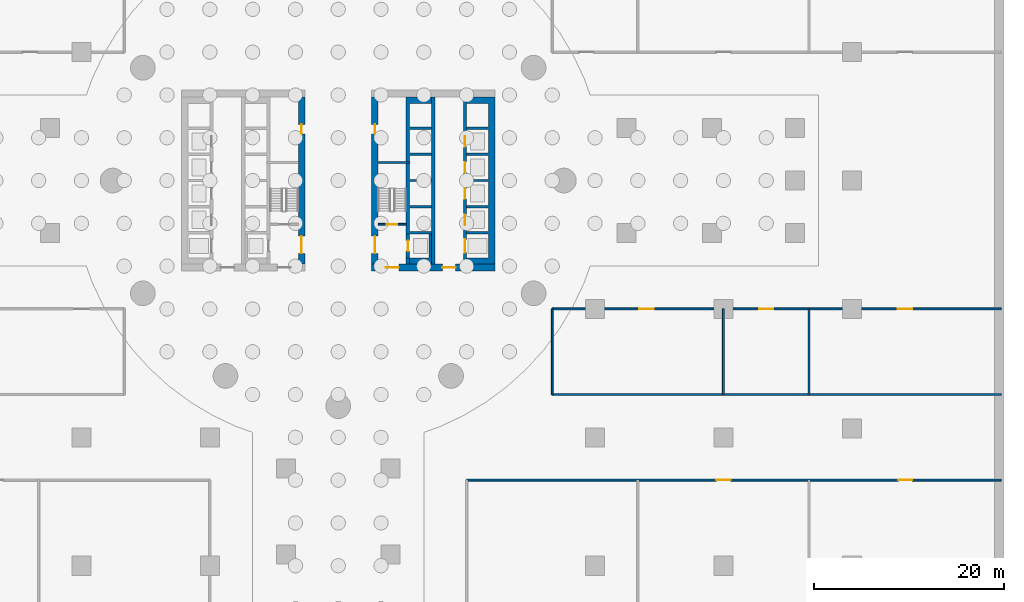
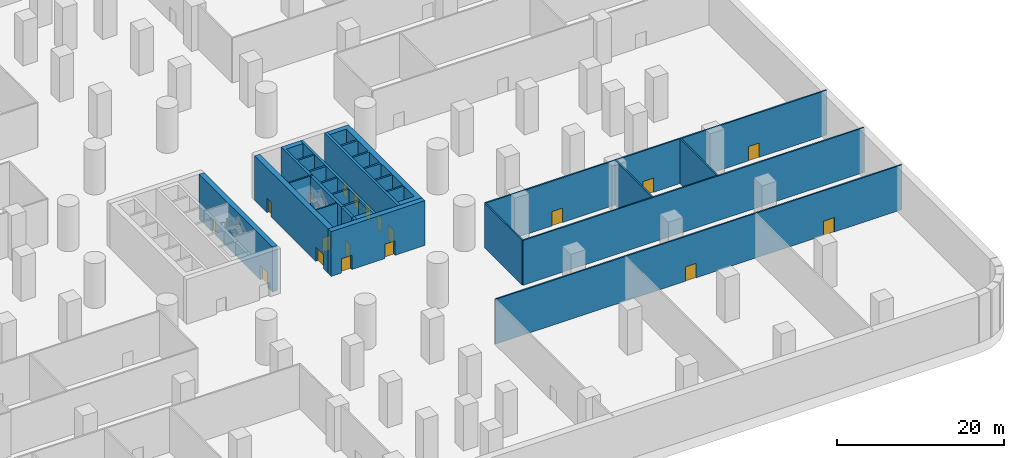
# One storey, part 7 of 13: 18 doors, 18 walls, 18 openings.
"""IFC4 building model written with IfcOpenShell, lengths in metres."""

from ifc_helpers import new_model, si_unit, direction, frame, frame_2d, origin, place, context, subcontext, project, spatial, polyline, rectangle, outline, extrude, material, layer, layer_set, type_object, element, fill, save


model = new_model("IFC4")

# Units and contexts
model_context = context("Model", 3, precision=1e-05, world=origin(), true_north=direction((0.0, 1.0)))
body_context = subcontext(model_context, "Body", "Model", "MODEL_VIEW")
ifc_project = project(units=[si_unit("LENGTHUNIT", "METRE"), si_unit("AREAUNIT", "SQUARE_METRE"), si_unit("VOLUMEUNIT", "CUBIC_METRE"), si_unit("PLANEANGLEUNIT", "RADIAN"), si_unit("MASSUNIT", "GRAM", prefix="KILO")], contexts=[model_context])

# Site, building, storey
site_placement = place(None, origin())
site = spatial("IfcSite", under=ifc_project, at=site_placement, CompositionType="ELEMENT")
building_placement = place(site_placement, origin())
building = spatial("IfcBuilding", under=site, at=building_placement, Name="Tamarind Cross Interchange Tower", CompositionType="ELEMENT")
storey_placement = place(building_placement, frame((0.0, 0.0, -21.0)))
storey = spatial("IfcBuildingStorey", under=building, at=storey_placement, Name="B3", CompositionType="ELEMENT", Elevation=-21.0)

# Wall, openings, doors
ifc_material_1 = material(Name="Concrete C80", Category="concrete")
ifc_layer_1 = layer(ifc_material_1, 0.699951171875)
ifc_layer_set_1 = layer_set([ifc_layer_1], Name="Concrete C80")
wall_type_1 = type_object("IfcWallType", Name="Core wall 700 mm Concrete C80", PredefinedType="SHEAR", material=ifc_layer_set_1)
wall_1_placement = place(storey_placement, frame((-3.85009765625, -8.800048828125, 0.0), z_axis=(0.0, 0.0, 1.0), x_axis=(0.0, 1.0, 0.0)))
wall_1 = element("IfcWall", 1, at=wall_1_placement, inside=storey, type_object=wall_type_1, Name="Core wall CWL-B3-W-IN", PredefinedType="SHEAR", context=body_context, shape_type="SweptSolid", body=[
    extrude(rectangle(XDim=17.60009765625, YDim=0.699951171875, at=frame_2d((8.800048828125, 0.0))), origin(), (0.0, 0.0, 1.0), 6.550048828125),
])
opening_1_placement = place(wall_1_placement, frame((1.14990234375, 0.0, 0.0)))
opening_1 = element("IfcOpeningElement", 2, at=opening_1_placement, cuts=wall_1, Name="Opening DCW4", PredefinedType="OPENING", context=body_context, shape_type="SweptSolid", body=[
    extrude(rectangle(XDim=1.800048828125, YDim=2.10009765625, at=frame_2d((0.89990234375, 1.050048828125))), frame((0.0, 0.35986328125, 0.0), z_axis=(0.0, -1.0, 0.0), x_axis=(1.0, 0.0, 0.0)), (0.0, 0.0, 1.0), 0.719970703125),
])
opening_2_placement = place(wall_1_placement, frame((13.699951171875, 0.0, 0.0)))
opening_2 = element("IfcOpeningElement", 3, at=opening_2_placement, cuts=wall_1, Name="Opening DCW5", PredefinedType="OPENING", context=body_context, shape_type="SweptSolid", body=[
    extrude(rectangle(XDim=1.0, YDim=2.10009765625, at=frame_2d((0.5, 1.050048828125))), frame((0.0, 0.35986328125, 0.0), z_axis=(0.0, -1.0, 0.0), x_axis=(1.0, 0.0, 0.0)), (0.0, 0.0, 1.0), 0.719970703125),
])
ifc_material_2 = material(Name="Steel, fire-resisting", Category="steel")
door_type_1 = type_object("IfcDoorType", Name="Core fire door 1000 x 2100 FD90", OperationType="SINGLE_SWING_LEFT", PredefinedType="DOOR", material=ifc_material_2)
door_1_placement = place(opening_2_placement, origin())
door_1 = element("IfcDoor", 4, at=door_1_placement, inside=storey, type_object=door_type_1, Name="B3 riser room door", OperationType="SINGLE_SWING_LEFT", OverallHeight=2.10009765625, OverallWidth=1.0, PredefinedType="DOOR", context=body_context, shape_type="SweptSolid", body=[
    extrude(rectangle(XDim=1.0, YDim=2.10009765625, at=frame_2d((0.5, 1.050048828125))), frame((0.0, 0.02490234375, 0.0), z_axis=(0.0, -1.0, 0.0), x_axis=(1.0, 0.0, 0.0)), (0.0, 0.0, 1.0), 0.050048828125),
])
fill(opening_2, door_1)
door_type_2 = type_object("IfcDoorType", Name="Core fire door 1800 x 2100 FD90", OperationType="SINGLE_SWING_LEFT", PredefinedType="DOOR", material=ifc_material_2)
door_2_placement = place(opening_1_placement, origin())
door_2 = element("IfcDoor", 5, at=door_2_placement, inside=storey, type_object=door_type_2, Name="B3 firefighting lobby door", OperationType="SINGLE_SWING_LEFT", OverallHeight=2.10009765625, OverallWidth=1.800048828125, PredefinedType="DOOR", context=body_context, shape_type="SweptSolid", body=[
    extrude(rectangle(XDim=1.800048828125, YDim=2.10009765625, at=frame_2d((0.89990234375, 1.050048828125))), frame((0.0, 0.02490234375, 0.0), z_axis=(0.0, -1.0, 0.0), x_axis=(1.0, 0.0, 0.0)), (0.0, 0.0, 1.0), 0.050048828125),
])
fill(opening_1, door_2)

wall_2_placement = place(storey_placement, frame((16.5, -9.14990234375, 0.0), z_axis=(0.0, 0.0, 1.0), x_axis=(-1.0, 0.0, 0.0)))
wall_2 = element("IfcWall", 6, at=wall_2_placement, inside=storey, type_object=wall_type_1, Name="Core wall CWL-B3-E-S", PredefinedType="SHEAR", context=body_context, shape_type="SweptSolid", body=[
    extrude(rectangle(XDim=13.0, YDim=0.699951171875, at=frame_2d((6.5, 0.0))), origin(), (0.0, 0.0, 1.0), 6.550048828125),
])
opening_3_placement = place(wall_2_placement, frame((4.14990234375, 0.0, 0.0)))
opening_3 = element("IfcOpeningElement", 7, at=opening_3_placement, cuts=wall_2, Name="Opening DCE1", PredefinedType="OPENING", context=body_context, shape_type="SweptSolid", body=[
    extrude(rectangle(XDim=1.39990234375, YDim=2.10009765625, at=frame_2d((0.699951171875, 1.050048828125))), frame((0.0, 0.35986328125, 0.0), z_axis=(0.0, -1.0, 0.0), x_axis=(1.0, 0.0, 0.0)), (0.0, 0.0, 1.0), 0.719970703125),
])
opening_4_placement = place(wall_2_placement, frame((10.125, 0.0, 0.0)))
opening_4 = element("IfcOpeningElement", 8, at=opening_4_placement, cuts=wall_2, Name="Opening DCEF", PredefinedType="OPENING", context=body_context, shape_type="SweptSolid", body=[
    extrude(rectangle(XDim=1.39990234375, YDim=2.10009765625, at=frame_2d((0.699951171875, 1.050048828125))), frame((0.0, 0.35986328125, 0.0), z_axis=(0.0, -1.0, 0.0), x_axis=(1.0, 0.0, 0.0)), (0.0, 0.0, 1.0), 0.719970703125),
])
door_type_3 = type_object("IfcDoorType", Name="Core fire door 1400 x 2100 FD90", OperationType="SINGLE_SWING_LEFT", PredefinedType="DOOR", material=ifc_material_2)
door_3_placement = place(opening_3_placement, origin())
door_3 = element("IfcDoor", 9, at=door_3_placement, inside=storey, type_object=door_type_3, Name="B3 lift lobby door", OperationType="SINGLE_SWING_LEFT", OverallHeight=2.10009765625, OverallWidth=1.39990234375, PredefinedType="DOOR", context=body_context, shape_type="SweptSolid", body=[
    extrude(rectangle(XDim=1.39990234375, YDim=2.10009765625, at=frame_2d((0.699951171875, 1.050048828125))), frame((0.0, 0.02490234375, 0.0), z_axis=(0.0, -1.0, 0.0), x_axis=(1.0, 0.0, 0.0)), (0.0, 0.0, 1.0), 0.050048828125),
])
fill(opening_3, door_3)
door_4_placement = place(opening_4_placement, origin())
door_4 = element("IfcDoor", 10, at=door_4_placement, inside=storey, type_object=door_type_3, Name="B3 firefighting lobby end door", OperationType="SINGLE_SWING_LEFT", OverallHeight=2.10009765625, OverallWidth=1.39990234375, PredefinedType="DOOR", context=body_context, shape_type="SweptSolid", body=[
    extrude(rectangle(XDim=1.39990234375, YDim=2.10009765625, at=frame_2d((0.699951171875, 1.050048828125))), frame((0.0, 0.02490234375, 0.0), z_axis=(0.0, -1.0, 0.0), x_axis=(1.0, 0.0, 0.0)), (0.0, 0.0, 1.0), 0.050048828125),
])
fill(opening_4, door_4)

# Wall
wall_3_placement = place(storey_placement, origin())
element("IfcWall", 11, at=wall_3_placement, inside=storey, type_object=wall_type_1, Name="Core wall CWL-B3-E-A", PredefinedType="SHEAR", context=body_context, shape_type="SweptSolid", body=[
    extrude(outline(polyline([(13.5, -8.800048828125), (15.800048828125, -8.800048828125), (16.5, -8.800048828125), (16.5, 8.800048828125), (15.800048828125, 8.800048828125), (13.5, 8.800048828125), (13.5, 8.125), (15.800048828125, 8.125), (15.800048828125, 5.625), (13.5, 5.625), (13.5, 5.375), (15.800048828125, 5.375), (15.800048828125, 2.875), (13.5, 2.875), (13.5, 2.625), (15.800048828125, 2.625), (15.800048828125, 0.125), (13.5, 0.125), (13.5, -0.125), (15.800048828125, -0.125), (15.800048828125, -2.625), (13.5, -2.625), (13.5, -2.875), (15.800048828125, -2.875), (15.800048828125, -5.375), (13.5, -5.375), (13.5, -5.625), (15.800048828125, -5.625), (15.800048828125, -8.125), (13.5, -8.125), (13.5, -8.800048828125)])), origin(), (0.0, 0.0, 1.0), 6.550048828125),
])

# Wall, openings, doors
wall_4_placement = place(storey_placement, frame((3.85009765625, -8.800048828125, 0.0), z_axis=(0.0, 0.0, 1.0), x_axis=(0.0, 1.0, 0.0)))
wall_4 = element("IfcWall", 12, at=wall_4_placement, inside=storey, type_object=wall_type_1, Name="Core wall CWL-B3-E-IN", PredefinedType="SHEAR", context=body_context, shape_type="SweptSolid", body=[
    extrude(rectangle(XDim=17.60009765625, YDim=0.699951171875, at=frame_2d((8.800048828125, 0.0))), origin(), (0.0, 0.0, 1.0), 6.550048828125),
])
opening_5_placement = place(wall_4_placement, frame((1.14990234375, 0.0, 0.0)))
opening_5 = element("IfcOpeningElement", 13, at=opening_5_placement, cuts=wall_4, Name="Opening DCE4", PredefinedType="OPENING", context=body_context, shape_type="SweptSolid", body=[
    extrude(rectangle(XDim=1.800048828125, YDim=2.10009765625, at=frame_2d((0.89990234375, 1.050048828125))), frame((0.0, 0.35986328125, 0.0), z_axis=(0.0, -1.0, 0.0), x_axis=(1.0, 0.0, 0.0)), (0.0, 0.0, 1.0), 0.719970703125),
])
opening_6_placement = place(wall_4_placement, frame((13.699951171875, 0.0, 0.0)))
opening_6 = element("IfcOpeningElement", 14, at=opening_6_placement, cuts=wall_4, Name="Opening DCE5", PredefinedType="OPENING", context=body_context, shape_type="SweptSolid", body=[
    extrude(rectangle(XDim=1.0, YDim=2.10009765625, at=frame_2d((0.5, 1.050048828125))), frame((0.0, 0.35986328125, 0.0), z_axis=(0.0, -1.0, 0.0), x_axis=(1.0, 0.0, 0.0)), (0.0, 0.0, 1.0), 0.719970703125),
])
door_5_placement = place(opening_6_placement, origin())
door_5 = element("IfcDoor", 15, at=door_5_placement, inside=storey, type_object=door_type_1, Name="B3 riser room door", OperationType="SINGLE_SWING_LEFT", OverallHeight=2.10009765625, OverallWidth=1.0, PredefinedType="DOOR", context=body_context, shape_type="SweptSolid", body=[
    extrude(rectangle(XDim=1.0, YDim=2.10009765625, at=frame_2d((0.5, 1.050048828125))), frame((0.0, 0.02490234375, 0.0), z_axis=(0.0, -1.0, 0.0), x_axis=(1.0, 0.0, 0.0)), (0.0, 0.0, 1.0), 0.050048828125),
])
fill(opening_6, door_5)
door_6_placement = place(opening_5_placement, origin())
door_6 = element("IfcDoor", 16, at=door_6_placement, inside=storey, type_object=door_type_2, Name="B3 firefighting lobby door", OperationType="SINGLE_SWING_LEFT", OverallHeight=2.10009765625, OverallWidth=1.800048828125, PredefinedType="DOOR", context=body_context, shape_type="SweptSolid", body=[
    extrude(rectangle(XDim=1.800048828125, YDim=2.10009765625, at=frame_2d((0.89990234375, 1.050048828125))), frame((0.0, 0.02490234375, 0.0), z_axis=(0.0, -1.0, 0.0), x_axis=(1.0, 0.0, 0.0)), (0.0, 0.0, 1.0), 0.050048828125),
])
fill(opening_5, door_6)

# Walls
ifc_layer_2 = layer(ifc_material_1, 0.199951171875)
ifc_layer_set_2 = layer_set([ifc_layer_2], Name="Concrete C80")
wall_type_2 = type_object("IfcWallType", Name="Core web wall 200 mm Concrete C80", PredefinedType="SHEAR", material=ifc_layer_set_2)
wall_5_placement = place(storey_placement, frame((7.5, 1.89990234375, 0.0), z_axis=(0.0, 0.0, 1.0), x_axis=(-1.0, 0.0, 0.0)))
element("IfcWall", 17, at=wall_5_placement, inside=storey, type_object=wall_type_2, Name="Core wall CWL-B3-E-BD", PredefinedType="SHEAR", context=body_context, shape_type="SweptSolid", body=[
    extrude(rectangle(XDim=3.300048828125, YDim=0.199951171875, at=frame_2d((1.64990234375, 0.0))), origin(), (0.0, 0.0, 1.0), 6.550048828125),
])
ifc_layer_3 = layer(ifc_material_1, 0.35009765625)
ifc_layer_set_3 = layer_set([ifc_layer_3], Name="Concrete C80")
wall_type_3 = type_object("IfcWallType", Name="Core web wall 350 mm Concrete C80", PredefinedType="SHEAR", material=ifc_layer_set_3)
wall_6_placement = place(storey_placement, origin())
element("IfcWall", 18, at=wall_6_placement, inside=storey, type_object=wall_type_3, Name="Core wall CWL-B3-E-BN", PredefinedType="SHEAR", context=body_context, shape_type="SweptSolid", body=[
    extrude(outline(polyline([(9.800048828125, -5.375), (7.5, -5.375), (7.5, -2.875), (9.800048828125, -2.875), (9.800048828125, -2.625), (7.5, -2.625), (7.5, -0.125), (9.800048828125, -0.125), (9.800048828125, 0.125), (7.5, 0.125), (7.5, 2.625), (9.800048828125, 2.625), (9.800048828125, 2.875), (7.5, 2.875), (7.5, 5.375), (9.800048828125, 5.375), (9.800048828125, 5.625), (7.5, 5.625), (7.5, 8.125), (9.800048828125, 8.125), (9.800048828125, 8.800048828125), (7.5, 8.800048828125), (7.14990234375, 8.800048828125), (7.14990234375, -5.625), (7.5, -5.625), (9.800048828125, -5.625), (9.800048828125, -5.375)])), origin(), (0.0, 0.0, 1.0), 6.550048828125),
])
wall_7_placement = place(storey_placement, origin())
element("IfcWall", 19, at=wall_7_placement, inside=storey, type_object=wall_type_3, Name="Core wall CWL-B3-E-BS", PredefinedType="SHEAR", context=body_context, shape_type="SweptSolid", body=[
    extrude(outline(polyline([(7.5, -8.125), (7.5, -8.800048828125), (9.800048828125, -8.800048828125), (9.800048828125, -8.125), (9.800048828125, -5.625), (9.550048828125, -5.625), (9.550048828125, -8.125), (7.5, -8.125)])), origin(), (0.0, 0.0, 1.0), 6.550048828125),
])
wall_8_placement = place(storey_placement, frame((7.324951171875, -8.800048828125, 0.0), z_axis=(0.0, 0.0, 1.0), x_axis=(0.0, 1.0, 0.0)))
element("IfcWall", 20, at=wall_8_placement, inside=storey, type_object=wall_type_3, Name="Core wall CWL-B3-E-BW", PredefinedType="SHEAR", context=body_context, shape_type="SweptSolid", body=[
    extrude(rectangle(XDim=0.675048828125, YDim=0.35009765625, at=frame_2d((0.33740234375, 0.0))), origin(), (0.0, 0.0, 1.0), 6.550048828125),
])

# Wall, openings, doors
wall_9_placement = place(storey_placement, frame((13.324951171875, -8.800048828125, 0.0), z_axis=(0.0, 0.0, 1.0), x_axis=(0.0, 1.0, 0.0)))
wall_9 = element("IfcWall", 21, at=wall_9_placement, inside=storey, type_object=wall_type_3, Name="Core wall CWL-B3-E-LA", PredefinedType="SHEAR", context=body_context, shape_type="SweptSolid", body=[
    extrude(rectangle(XDim=17.60009765625, YDim=0.35009765625, at=frame_2d((8.800048828125, 0.0))), origin(), (0.0, 0.0, 1.0), 6.550048828125),
])
opening_7_placement = place(wall_9_placement, frame((1.22509765625, 0.0, 0.0)))
opening_7 = element("IfcOpeningElement", 22, at=opening_7_placement, cuts=wall_9, Name="Opening LD13B3", PredefinedType="OPENING", context=body_context, shape_type="SweptSolid", body=[
    extrude(rectangle(XDim=1.39990234375, YDim=2.10009765625, at=frame_2d((0.699951171875, 1.050048828125))), frame((0.0, 0.18505859375, 0.0), z_axis=(0.0, -1.0, 0.0), x_axis=(1.0, 0.0, 0.0)), (0.0, 0.0, 1.0), 0.3701171875),
])
opening_8_placement = place(wall_9_placement, frame((4.125, 0.0, 0.0)))
opening_8 = element("IfcOpeningElement", 23, at=opening_8_placement, cuts=wall_9, Name="Opening LD14B3", PredefinedType="OPENING", context=body_context, shape_type="SweptSolid", body=[
    extrude(rectangle(XDim=1.10009765625, YDim=2.10009765625, at=frame_2d((0.550048828125, 1.050048828125))), frame((0.0, 0.18505859375, 0.0), z_axis=(0.0, -1.0, 0.0), x_axis=(1.0, 0.0, 0.0)), (0.0, 0.0, 1.0), 0.3701171875),
])
opening_9_placement = place(wall_9_placement, frame((6.875, 0.0, 0.0)))
opening_9 = element("IfcOpeningElement", 24, at=opening_9_placement, cuts=wall_9, Name="Opening LD15B3", PredefinedType="OPENING", context=body_context, shape_type="SweptSolid", body=[
    extrude(rectangle(XDim=1.10009765625, YDim=2.10009765625, at=frame_2d((0.550048828125, 1.050048828125))), frame((0.0, 0.18505859375, 0.0), z_axis=(0.0, -1.0, 0.0), x_axis=(1.0, 0.0, 0.0)), (0.0, 0.0, 1.0), 0.3701171875),
])
opening_10_placement = place(wall_9_placement, frame((9.625, 0.0, 0.0)))
opening_10 = element("IfcOpeningElement", 25, at=opening_10_placement, cuts=wall_9, Name="Opening LD16B3", PredefinedType="OPENING", context=body_context, shape_type="SweptSolid", body=[
    extrude(rectangle(XDim=1.10009765625, YDim=2.10009765625, at=frame_2d((0.550048828125, 1.050048828125))), frame((0.0, 0.18505859375, 0.0), z_axis=(0.0, -1.0, 0.0), x_axis=(1.0, 0.0, 0.0)), (0.0, 0.0, 1.0), 0.3701171875),
])
opening_11_placement = place(wall_9_placement, frame((12.375, 0.0, 0.0)))
opening_11 = element("IfcOpeningElement", 26, at=opening_11_placement, cuts=wall_9, Name="Opening LD17B3", PredefinedType="OPENING", context=body_context, shape_type="SweptSolid", body=[
    extrude(rectangle(XDim=1.10009765625, YDim=2.10009765625, at=frame_2d((0.550048828125, 1.050048828125))), frame((0.0, 0.18505859375, 0.0), z_axis=(0.0, -1.0, 0.0), x_axis=(1.0, 0.0, 0.0)), (0.0, 0.0, 1.0), 0.3701171875),
])
ifc_material_3 = material(Name="Stainless steel panel", Category="steel")
door_type_4 = type_object("IfcDoorType", Name="Lift landing door 1100 x 2100 E 120", OperationType="SLIDING_TO_LEFT", PredefinedType="DOOR", material=ifc_material_3)
door_7_placement = place(opening_8_placement, origin())
door_7 = element("IfcDoor", 27, at=door_7_placement, inside=storey, type_object=door_type_4, Name="B3 landing door LF14", OperationType="SLIDING_TO_LEFT", OverallHeight=2.10009765625, OverallWidth=1.10009765625, PredefinedType="DOOR", context=body_context, shape_type="SweptSolid", body=[
    extrude(rectangle(XDim=1.10009765625, YDim=2.10009765625, at=frame_2d((0.550048828125, 1.050048828125))), frame((0.0, 0.02490234375, 0.0), z_axis=(0.0, -1.0, 0.0), x_axis=(1.0, 0.0, 0.0)), (0.0, 0.0, 1.0), 0.050048828125),
])
fill(opening_8, door_7)
door_8_placement = place(opening_9_placement, origin())
door_8 = element("IfcDoor", 28, at=door_8_placement, inside=storey, type_object=door_type_4, Name="B3 landing door LF15", OperationType="SLIDING_TO_LEFT", OverallHeight=2.10009765625, OverallWidth=1.10009765625, PredefinedType="DOOR", context=body_context, shape_type="SweptSolid", body=[
    extrude(rectangle(XDim=1.10009765625, YDim=2.10009765625, at=frame_2d((0.550048828125, 1.050048828125))), frame((0.0, 0.02490234375, 0.0), z_axis=(0.0, -1.0, 0.0), x_axis=(1.0, 0.0, 0.0)), (0.0, 0.0, 1.0), 0.050048828125),
])
fill(opening_9, door_8)
door_9_placement = place(opening_10_placement, origin())
door_9 = element("IfcDoor", 29, at=door_9_placement, inside=storey, type_object=door_type_4, Name="B3 landing door LF16", OperationType="SLIDING_TO_LEFT", OverallHeight=2.10009765625, OverallWidth=1.10009765625, PredefinedType="DOOR", context=body_context, shape_type="SweptSolid", body=[
    extrude(rectangle(XDim=1.10009765625, YDim=2.10009765625, at=frame_2d((0.550048828125, 1.050048828125))), frame((0.0, 0.02490234375, 0.0), z_axis=(0.0, -1.0, 0.0), x_axis=(1.0, 0.0, 0.0)), (0.0, 0.0, 1.0), 0.050048828125),
])
fill(opening_10, door_9)
door_10_placement = place(opening_11_placement, origin())
door_10 = element("IfcDoor", 30, at=door_10_placement, inside=storey, type_object=door_type_4, Name="B3 landing door LF17", OperationType="SLIDING_TO_LEFT", OverallHeight=2.10009765625, OverallWidth=1.10009765625, PredefinedType="DOOR", context=body_context, shape_type="SweptSolid", body=[
    extrude(rectangle(XDim=1.10009765625, YDim=2.10009765625, at=frame_2d((0.550048828125, 1.050048828125))), frame((0.0, 0.02490234375, 0.0), z_axis=(0.0, -1.0, 0.0), x_axis=(1.0, 0.0, 0.0)), (0.0, 0.0, 1.0), 0.050048828125),
])
fill(opening_11, door_10)
door_type_5 = type_object("IfcDoorType", Name="Lift landing door 1400 x 2100 E 120", OperationType="SLIDING_TO_LEFT", PredefinedType="DOOR", material=ifc_material_3)
door_11_placement = place(opening_7_placement, origin())
door_11 = element("IfcDoor", 31, at=door_11_placement, inside=storey, type_object=door_type_5, Name="B3 landing door LF13", OperationType="SLIDING_TO_LEFT", OverallHeight=2.10009765625, OverallWidth=1.39990234375, PredefinedType="DOOR", context=body_context, shape_type="SweptSolid", body=[
    extrude(rectangle(XDim=1.39990234375, YDim=2.10009765625, at=frame_2d((0.699951171875, 1.050048828125))), frame((0.0, 0.02490234375, 0.0), z_axis=(0.0, -1.0, 0.0), x_axis=(1.0, 0.0, 0.0)), (0.0, 0.0, 1.0), 0.050048828125),
])
fill(opening_7, door_11)

# Wall
wall_10_placement = place(storey_placement, frame((9.97509765625, -8.800048828125, 0.0), z_axis=(0.0, 0.0, 1.0), x_axis=(0.0, 1.0, 0.0)))
element("IfcWall", 32, at=wall_10_placement, inside=storey, type_object=wall_type_3, Name="Core wall CWL-B3-E-LB", PredefinedType="SHEAR", context=body_context, shape_type="SweptSolid", body=[
    extrude(rectangle(XDim=17.60009765625, YDim=0.35009765625, at=frame_2d((8.800048828125, 0.0))), origin(), (0.0, 0.0, 1.0), 6.550048828125),
])

# Wall, opening, door
wall_11_placement = place(storey_placement, frame((7.324951171875, -8.125, 0.0), z_axis=(0.0, 0.0, 1.0), x_axis=(0.0, 1.0, 0.0)))
wall_11 = element("IfcWall", 33, at=wall_11_placement, inside=storey, type_object=wall_type_3, Name="Core wall CWL-B3-E-FF", PredefinedType="SHEAR", context=body_context, shape_type="SweptSolid", body=[
    extrude(rectangle(XDim=2.5, YDim=0.35009765625, at=frame_2d((1.25, 0.0))), origin(), (0.0, 0.0, 1.0), 6.550048828125),
])
opening_12_placement = place(wall_11_placement, frame((0.699951171875, 0.0, 0.0)))
opening_12 = element("IfcOpeningElement", 34, at=opening_12_placement, cuts=wall_11, Name="Opening LD19B3", PredefinedType="OPENING", context=body_context, shape_type="SweptSolid", body=[
    extrude(rectangle(XDim=1.10009765625, YDim=2.10009765625, at=frame_2d((0.550048828125, 1.050048828125))), frame((0.0, 0.18505859375, 0.0), z_axis=(0.0, -1.0, 0.0), x_axis=(1.0, 0.0, 0.0)), (0.0, 0.0, 1.0), 0.3701171875),
])
door_12_placement = place(opening_12_placement, origin())
door_12 = element("IfcDoor", 35, at=door_12_placement, inside=storey, type_object=door_type_4, Name="B3 landing door LF19", OperationType="SLIDING_TO_LEFT", OverallHeight=2.10009765625, OverallWidth=1.10009765625, PredefinedType="DOOR", context=body_context, shape_type="SweptSolid", body=[
    extrude(rectangle(XDim=1.10009765625, YDim=2.10009765625, at=frame_2d((0.550048828125, 1.050048828125))), frame((0.0, 0.02490234375, 0.0), z_axis=(0.0, -1.0, 0.0), x_axis=(1.0, 0.0, 0.0)), (0.0, 0.0, 1.0), 0.050048828125),
])
fill(opening_12, door_12)

# Wall, openings, doors
ifc_material_4 = material(Name="Masonry partition, fire-rated", Category="masonry")
ifc_layer_4 = layer(ifc_material_4, 0.199951171875)
ifc_layer_set_4 = layer_set([ifc_layer_4], Name="Masonry partition, fire-rated")
wall_type_4 = type_object("IfcWallType", Name="Fire partition 200 EI 120", PredefinedType="PARTITIONING", material=ifc_layer_set_4)
wall_12_placement = place(storey_placement, frame((13.5, -31.5, 0.0), z_axis=(0.0, 0.0, 1.0), x_axis=(1.0, 0.0, 0.0)))
wall_12 = element("IfcWall", 36, at=wall_12_placement, inside=storey, type_object=wall_type_4, Name="B3 partition 31", PredefinedType="PARTITIONING", context=body_context, shape_type="SweptSolid", body=[
    extrude(rectangle(XDim=56.198974609375, YDim=0.199951171875, at=frame_2d((28.099609375, 0.0))), origin(), (0.0, 0.0, 1.0), 6.550048828125),
])
opening_13_placement = place(wall_12_placement, frame((26.25, 0.0, 0.0)))
opening_13 = element("IfcOpeningElement", 37, at=opening_13_placement, cuts=wall_12, Name="Opening DB3-26", PredefinedType="OPENING", context=body_context, shape_type="SweptSolid", body=[
    extrude(rectangle(XDim=1.5, YDim=2.10009765625, at=frame_2d((0.75, 1.050048828125))), frame((0.0, 0.10986328125, 0.0), z_axis=(0.0, -1.0, 0.0), x_axis=(1.0, 0.0, 0.0)), (0.0, 0.0, 1.0), 0.219970703125),
])
opening_14_placement = place(wall_12_placement, frame((45.360107421875, 0.0, 0.0)))
opening_14 = element("IfcOpeningElement", 38, at=opening_14_placement, cuts=wall_12, Name="Opening DB3-27", PredefinedType="OPENING", context=body_context, shape_type="SweptSolid", body=[
    extrude(rectangle(XDim=1.5, YDim=2.10009765625, at=frame_2d((0.75, 1.050048828125))), frame((0.0, 0.10986328125, 0.0), z_axis=(0.0, -1.0, 0.0), x_axis=(1.0, 0.0, 0.0)), (0.0, 0.0, 1.0), 0.219970703125),
])
door_type_6 = type_object("IfcDoorType", Name="Podium door 1500 x 2100 FD90", OperationType="SINGLE_SWING_LEFT", PredefinedType="DOOR", material=ifc_material_2)
door_13_placement = place(opening_13_placement, origin())
door_13 = element("IfcDoor", 39, at=door_13_placement, inside=storey, type_object=door_type_6, Name="B3 door Smoke Extract Plant Room B324", OperationType="SINGLE_SWING_RIGHT", OverallHeight=2.10009765625, OverallWidth=1.5, PredefinedType="DOOR", context=body_context, shape_type="SweptSolid", body=[
    extrude(rectangle(XDim=1.5, YDim=2.10009765625, at=frame_2d((0.75, 1.050048828125))), frame((0.0, 0.02490234375, 0.0), z_axis=(0.0, -1.0, 0.0), x_axis=(1.0, 0.0, 0.0)), (0.0, 0.0, 1.0), 0.050048828125),
])
fill(opening_13, door_13)
door_14_placement = place(opening_14_placement, origin())
door_14 = element("IfcDoor", 40, at=door_14_placement, inside=storey, type_object=door_type_6, Name="B3 door Air Handling Plant Room B325", OperationType="SINGLE_SWING_LEFT", OverallHeight=2.10009765625, OverallWidth=1.5, PredefinedType="DOOR", context=body_context, shape_type="SweptSolid", body=[
    extrude(rectangle(XDim=1.5, YDim=2.10009765625, at=frame_2d((0.75, 1.050048828125))), frame((0.0, 0.02490234375, 0.0), z_axis=(0.0, -1.0, 0.0), x_axis=(1.0, 0.0, 0.0)), (0.0, 0.0, 1.0), 0.050048828125),
])
fill(opening_14, door_14)

# Walls
wall_13_placement = place(storey_placement, frame((22.5, -22.5, 0.0), z_axis=(0.0, 0.0, 1.0), x_axis=(1.0, 0.0, 0.0)))
element("IfcWall", 41, at=wall_13_placement, inside=storey, type_object=wall_type_4, Name="B3 partition 40", PredefinedType="PARTITIONING", context=body_context, shape_type="SweptSolid", body=[
    extrude(rectangle(XDim=47.198974609375, YDim=0.199951171875, at=frame_2d((23.599609375, 0.0))), origin(), (0.0, 0.0, 1.0), 6.550048828125),
])
for number, where, z_axis, x_axis, name in (
    (42, (40.5, -22.5, 0.0), (0.0, 0.0, 1.0), (0.0, 1.0, 0.0), "B3 partition 41"),
    (43, (22.5, -22.5, 0.0), (0.0, 0.0, 1.0), (0.0, 1.0, 0.0), "B3 partition 42"),
):
    element("IfcWall", number, at=place(storey_placement, frame(where, z_axis=z_axis, x_axis=x_axis)), inside=storey, type_object=wall_type_4, Name=name, PredefinedType="PARTITIONING", context=body_context, shape_type="SweptSolid", body=[
        extrude(rectangle(XDim=9.0, YDim=0.199951171875, at=frame_2d((4.5, 0.0))), origin(), (0.0, 0.0, 1.0), 6.550048828125),
    ])

# Wall, openings, doors
wall_14_placement = place(storey_placement, frame((22.5, -13.5, 0.0), z_axis=(0.0, 0.0, 1.0), x_axis=(1.0, 0.0, 0.0)))
wall_14 = element("IfcWall", 44, at=wall_14_placement, inside=storey, type_object=wall_type_4, Name="B3 partition 43", PredefinedType="PARTITIONING", context=body_context, shape_type="SweptSolid", body=[
    extrude(rectangle(XDim=47.198974609375, YDim=0.199951171875, at=frame_2d((23.599609375, 0.0))), origin(), (0.0, 0.0, 1.0), 6.550048828125),
])
opening_15_placement = place(wall_14_placement, frame((9.157958984375, 0.0, 0.0)))
opening_15 = element("IfcOpeningElement", 45, at=opening_15_placement, cuts=wall_14, Name="Opening DB3-22", PredefinedType="OPENING", context=body_context, shape_type="SweptSolid", body=[
    extrude(rectangle(XDim=1.5, YDim=2.10009765625, at=frame_2d((0.75, 1.050048828125))), frame((0.0, 0.10986328125, 0.0), z_axis=(0.0, -1.0, 0.0), x_axis=(1.0, 0.0, 0.0)), (0.0, 0.0, 1.0), 0.219970703125),
])
opening_16_placement = place(wall_14_placement, frame((21.75, 0.0, 0.0)))
opening_16 = element("IfcOpeningElement", 46, at=opening_16_placement, cuts=wall_14, Name="Opening DB3-23", PredefinedType="OPENING", context=body_context, shape_type="SweptSolid", body=[
    extrude(rectangle(XDim=1.5, YDim=2.10009765625, at=frame_2d((0.75, 1.050048828125))), frame((0.0, 0.10986328125, 0.0), z_axis=(0.0, -1.0, 0.0), x_axis=(1.0, 0.0, 0.0)), (0.0, 0.0, 1.0), 0.219970703125),
])
opening_17_placement = place(wall_14_placement, frame((36.35009765625, 0.0, 0.0)))
opening_17 = element("IfcOpeningElement", 47, at=opening_17_placement, cuts=wall_14, Name="Opening DB3-24", PredefinedType="OPENING", context=body_context, shape_type="SweptSolid", body=[
    extrude(rectangle(XDim=1.5, YDim=2.10009765625, at=frame_2d((0.75, 1.050048828125))), frame((0.0, 0.10986328125, 0.0), z_axis=(0.0, -1.0, 0.0), x_axis=(1.0, 0.0, 0.0)), (0.0, 0.0, 1.0), 0.219970703125),
])
door_15_placement = place(opening_15_placement, origin())
door_15 = element("IfcDoor", 48, at=door_15_placement, inside=storey, type_object=door_type_6, Name="B3 door Electrical Switch Room B320", OperationType="SINGLE_SWING_RIGHT", OverallHeight=2.10009765625, OverallWidth=1.5, PredefinedType="DOOR", context=body_context, shape_type="SweptSolid", body=[
    extrude(rectangle(XDim=1.5, YDim=2.10009765625, at=frame_2d((0.75, 1.050048828125))), frame((0.0, 0.02490234375, 0.0), z_axis=(0.0, -1.0, 0.0), x_axis=(1.0, 0.0, 0.0)), (0.0, 0.0, 1.0), 0.050048828125),
])
fill(opening_15, door_15)
door_16_placement = place(opening_16_placement, origin())
door_16 = element("IfcDoor", 49, at=door_16_placement, inside=storey, type_object=door_type_6, Name="B3 door Generator Room B321", OperationType="SINGLE_SWING_LEFT", OverallHeight=2.10009765625, OverallWidth=1.5, PredefinedType="DOOR", context=body_context, shape_type="SweptSolid", body=[
    extrude(rectangle(XDim=1.5, YDim=2.10009765625, at=frame_2d((0.75, 1.050048828125))), frame((0.0, 0.02490234375, 0.0), z_axis=(0.0, -1.0, 0.0), x_axis=(1.0, 0.0, 0.0)), (0.0, 0.0, 1.0), 0.050048828125),
])
fill(opening_16, door_16)
door_17_placement = place(opening_17_placement, origin())
door_17 = element("IfcDoor", 50, at=door_17_placement, inside=storey, type_object=door_type_6, Name="B3 door Smoke Extract Plant Room B322", OperationType="SINGLE_SWING_RIGHT", OverallHeight=2.10009765625, OverallWidth=1.5, PredefinedType="DOOR", context=body_context, shape_type="SweptSolid", body=[
    extrude(rectangle(XDim=1.5, YDim=2.10009765625, at=frame_2d((0.75, 1.050048828125))), frame((0.0, 0.02490234375, 0.0), z_axis=(0.0, -1.0, 0.0), x_axis=(1.0, 0.0, 0.0)), (0.0, 0.0, 1.0), 0.050048828125),
])
fill(opening_17, door_17)

# Wall
wall_15_placement = place(storey_placement, frame((49.5, -22.5, 0.0), z_axis=(0.0, 0.0, 1.0), x_axis=(0.0, 1.0, 0.0)))
element("IfcWall", 51, at=wall_15_placement, inside=storey, type_object=wall_type_4, Name="B3 partition 45", PredefinedType="PARTITIONING", context=body_context, shape_type="SweptSolid", body=[
    extrude(rectangle(XDim=9.0, YDim=0.199951171875, at=frame_2d((4.5, 0.0))), origin(), (0.0, 0.0, 1.0), 6.550048828125),
])

# Wall, opening, door
ifc_material_5 = material(Name="Concrete C40", Category="concrete")
ifc_layer_5 = layer(ifc_material_5, 0.199951171875)
ifc_layer_set_5 = layer_set([ifc_layer_5], Name="Concrete C40")
wall_type_5 = type_object("IfcWallType", Name="Stair shaft wall 200 mm Concrete C40", PredefinedType="SHEAR", material=ifc_layer_set_5)
wall_16_placement = place(storey_placement, frame((7.14990234375, -4.60009765625, 0.0), z_axis=(0.0, 0.0, 1.0), x_axis=(-1.0, 0.0, 0.0)))
wall_16 = element("IfcWall", 52, at=wall_16_placement, inside=storey, type_object=wall_type_5, Name="Core wall CWL-B3-E-SD", PredefinedType="SHEAR", context=body_context, shape_type="SweptSolid", body=[
    extrude(rectangle(XDim=2.949951171875, YDim=0.199951171875, at=frame_2d((1.47509765625, 0.0))), origin(), (0.0, 0.0, 1.0), 6.550048828125),
])
opening_18_placement = place(wall_16_placement, frame((0.925048828125, 0.0, 0.0)))
opening_18 = element("IfcOpeningElement", 53, at=opening_18_placement, cuts=wall_16, Name="Opening DCE6", PredefinedType="OPENING", context=body_context, shape_type="SweptSolid", body=[
    extrude(rectangle(XDim=1.10009765625, YDim=2.10009765625, at=frame_2d((0.550048828125, 1.050048828125))), frame((0.0, 0.10986328125, 0.0), z_axis=(0.0, -1.0, 0.0), x_axis=(1.0, 0.0, 0.0)), (0.0, 0.0, 1.0), 0.219970703125),
])
door_type_7 = type_object("IfcDoorType", Name="Core fire door 1100 x 2100 FD90", OperationType="SINGLE_SWING_LEFT", PredefinedType="DOOR", material=ifc_material_2)
door_18_placement = place(opening_18_placement, origin())
door_18 = element("IfcDoor", 54, at=door_18_placement, inside=storey, type_object=door_type_7, Name="B3 stair door", OperationType="SINGLE_SWING_LEFT", OverallHeight=2.10009765625, OverallWidth=1.10009765625, PredefinedType="DOOR", context=body_context, shape_type="SweptSolid", body=[
    extrude(rectangle(XDim=1.10009765625, YDim=2.10009765625, at=frame_2d((0.550048828125, 1.050048828125))), frame((0.0, 0.02490234375, 0.0), z_axis=(0.0, -1.0, 0.0), x_axis=(1.0, 0.0, 0.0)), (0.0, 0.0, 1.0), 0.050048828125),
])
fill(opening_18, door_18)

save(model, "model.ifc")
